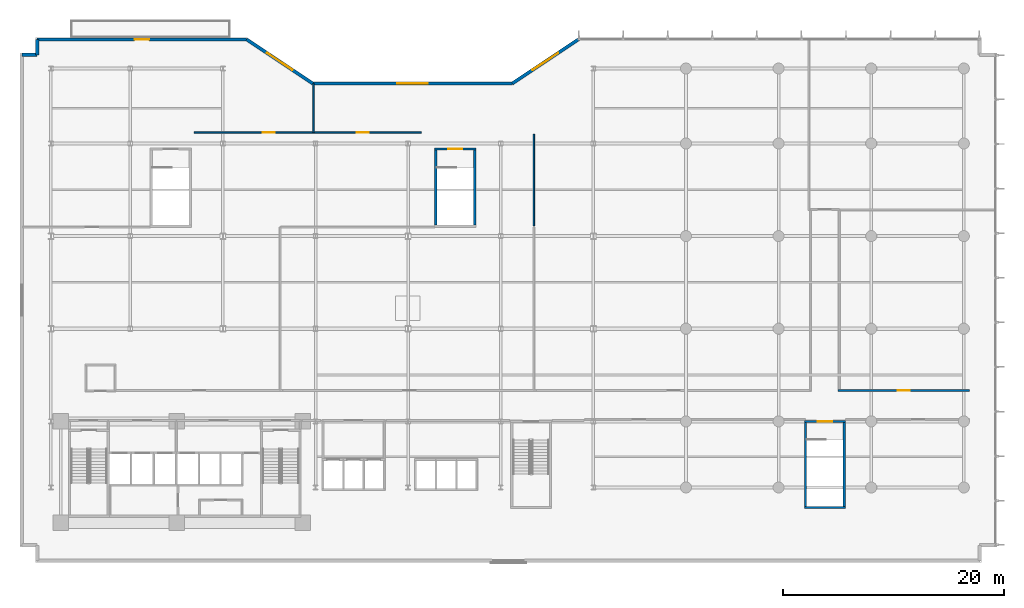
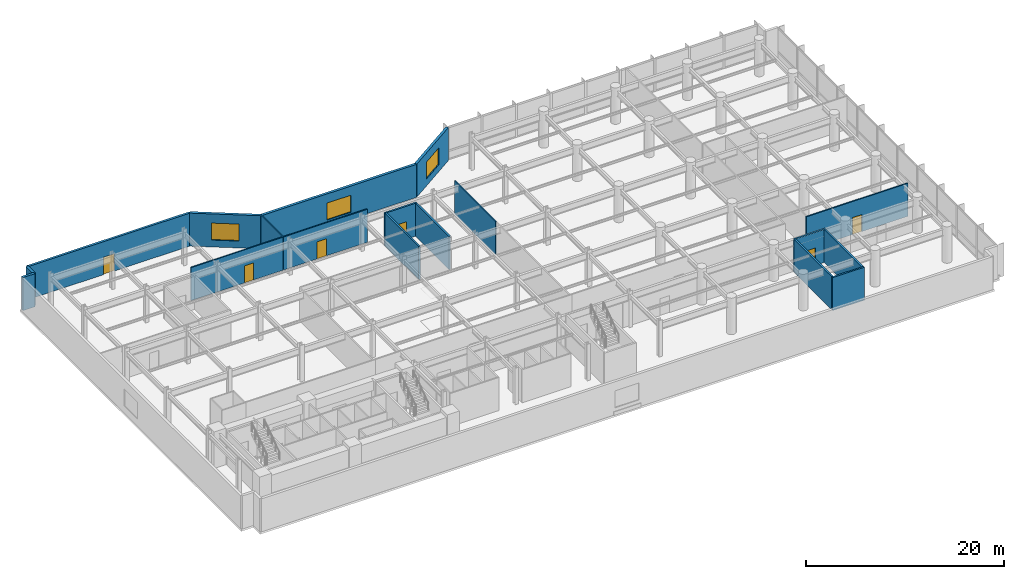
# One storey, part 17 of 23: 18 walls, 6 doors, 3 windows, 9 openings.
"""IFC4 building model written with IfcOpenShell, lengths in metres."""

from ifc_helpers import new_model, si_unit, direction, frame, frame_2d, origin, place, context, subcontext, project, spatial, rectangle, extrude, material, layer, layer_set, type_object, element, fill, save


model = new_model("IFC4")

# Units and contexts
model_context = context("Model", 3, precision=1e-05, world=origin(), true_north=direction((0.0, 1.0)))
body_context = subcontext(model_context, "Body", "Model", "MODEL_VIEW")
ifc_project = project(units=[si_unit("LENGTHUNIT", "METRE"), si_unit("AREAUNIT", "SQUARE_METRE"), si_unit("VOLUMEUNIT", "CUBIC_METRE"), si_unit("PLANEANGLEUNIT", "RADIAN"), si_unit("MASSUNIT", "GRAM", prefix="KILO")], contexts=[model_context])

# Site, building, storey
site_placement = place(None, origin())
site = spatial("IfcSite", under=ifc_project, at=site_placement, CompositionType="ELEMENT")
building_placement = place(site_placement, origin())
building = spatial("IfcBuilding", under=site, at=building_placement, Name="Varnakote Quay Hospital", CompositionType="ELEMENT")
storey_placement = place(building_placement, frame((0.0, 0.0, 18.0)))
storey = spatial("IfcBuildingStorey", under=building, at=storey_placement, Name="L04", CompositionType="ELEMENT", Elevation=18.0)

# Wall, opening, door
ifc_material_1 = material(Name="Precast concrete N50 (f'c 50 MPa)", Category="concrete")
ifc_layer_1 = layer(ifc_material_1, 0.260009765625)
ifc_layer_set_1 = layer_set([ifc_layer_1], Name="Precast concrete N50 (f'c 50 MPa)")
wall_type_1 = type_object("IfcWallType", Name="WL-EXT-BRICK-260", PredefinedType="STANDARD", material=ifc_layer_set_1)
wall_1_placement = place(storey_placement, frame((18.95166015625, 46.639892578125, 0.0), z_axis=(0.0, 0.0, 1.0), x_axis=(-1.0, 0.0, 0.0)))
wall_1 = element("IfcWall", 1, at=wall_1_placement, inside=storey, type_object=wall_type_1, Name="L04 Healing Terrace Portal Brick Wall", PredefinedType="STANDARD", context=body_context, shape_type="SweptSolid", body=[
    extrude(rectangle(XDim=18.99169921875, YDim=0.260009765625, at=frame_2d((9.495849609375, 0.0))), origin(), (0.0, 0.0, 1.0), 4.080078125),
])
opening_1_placement = place(wall_1_placement, frame((8.845703125, 0.0, 0.0)))
opening_1 = element("IfcOpeningElement", 2, at=opening_1_placement, cuts=wall_1, Name="Opening DT-L04", PredefinedType="OPENING", context=body_context, shape_type="SweptSolid", body=[
    extrude(rectangle(XDim=1.300048828125, YDim=2.14990234375, at=frame_2d((0.64990234375, 1.074951171875))), frame((0.0, 0.139892578125, 0.0), z_axis=(0.0, -1.0, 0.0), x_axis=(1.0, 0.0, 0.0)), (0.0, 0.0, 1.0), 0.280029296875),
])
ifc_material_2 = material(Name="Anodised aluminium glazed terrace door", Category="aluminium")
door_type_1 = type_object("IfcDoorType", Name="DR-EXT-TERR-1300x2150", OperationType="NOTDEFINED", PredefinedType="DOOR", material=ifc_material_2)
door_1_placement = place(opening_1_placement, origin())
door_1 = element("IfcDoor", 3, at=door_1_placement, inside=storey, type_object=door_type_1, Name="L04 Waterfront Healing Terrace Door", OperationType="SINGLE_SWING_LEFT", OverallHeight=2.14990234375, OverallWidth=1.300048828125, PredefinedType="DOOR", context=body_context, shape_type="SweptSolid", body=[
    extrude(rectangle(XDim=1.300048828125, YDim=2.14990234375, at=frame_2d((0.64990234375, 1.074951171875))), frame((0.0, 0.02490234375, 0.0), z_axis=(0.0, -1.0, 0.0), x_axis=(1.0, 0.0, 0.0)), (0.0, 0.0, 1.0), 0.050048828125),
])
fill(opening_1, door_1)

# Wall, opening, window
ifc_material_3 = material(Name="Precast concrete N50 (f'c 50 MPa)", Category="concrete")
ifc_layer_2 = layer(ifc_material_3, 0.300048828125)
ifc_layer_set_2 = layer_set([ifc_layer_2], Name="Precast concrete N50 (f'c 50 MPa)")
wall_type_2 = type_object("IfcWallType", Name="WL-EXT-BRICK-300", PredefinedType="STANDARD", material=ifc_layer_set_2)
wall_2_placement = place(storey_placement, frame((49.04833984375, 46.639892578125, 0.0), z_axis=(0.0, 0.0, 1.0), x_axis=(-0.832050294338, -0.554700196225, 0.0)))
wall_2 = element("IfcWall", 4, at=wall_2_placement, inside=storey, type_object=wall_type_2, Name="L04 Brick-Faced Precast Exterior Wall", PredefinedType="STANDARD", context=body_context, shape_type="SweptSolid", body=[
    extrude(rectangle(XDim=7.211181640625, YDim=0.300048828125, at=frame_2d((3.60546875, 0.0))), origin(), (0.0, 0.0, 1.0), 4.080078125),
])
opening_2_placement = place(wall_2_placement, frame((2.20556640625, 0.0, 0.85009765625)))
opening_2 = element("IfcOpeningElement", 5, at=opening_2_placement, cuts=wall_2, Name="Opening WN-0026", PredefinedType="OPENING", context=body_context, shape_type="SweptSolid", body=[
    extrude(rectangle(XDim=2.800048828125, YDim=2.10009765625, at=frame_2d((1.39990234375, 1.050048828125))), frame((0.0, 0.159912109375, 0.0), z_axis=(0.0, -1.0, 0.0), x_axis=(1.0, 0.0, 0.0)), (0.0, 0.0, 1.0), 0.320068359375),
])
ifc_material_4 = material(Name="Double-glazed acoustic laminated glass", Category="glass")
window_type = type_object("IfcWindowType", Name="WIN-POD-2800x2100", PartitioningType="SINGLE_PANEL", PredefinedType="WINDOW", material=ifc_material_4)
window_1_placement = place(opening_2_placement, origin())
window_1 = element("IfcWindow", 6, at=window_1_placement, inside=storey, type_object=window_type, Name="L04 Solar-Control Clinical Window", OverallHeight=2.10009765625, OverallWidth=2.800048828125, PartitioningType="SINGLE_PANEL", PredefinedType="WINDOW", context=body_context, shape_type="SweptSolid", body=[
    extrude(rectangle(XDim=2.800048828125, YDim=2.10009765625, at=frame_2d((1.39990234375, 1.050048828125))), frame((0.0, 0.030029296875, 0.0), z_axis=(0.0, -1.0, 0.0), x_axis=(1.0, 0.0, 0.0)), (0.0, 0.0, 1.0), 0.06005859375),
])
fill(opening_2, window_1)

wall_3_placement = place(storey_placement, frame((43.04833984375, 42.639892578125, 0.0), z_axis=(0.0, 0.0, 1.0), x_axis=(-1.0, 0.0, 0.0)))
wall_3 = element("IfcWall", 7, at=wall_3_placement, inside=storey, type_object=wall_type_2, Name="L04 Brick-Faced Precast Exterior Wall", PredefinedType="STANDARD", context=body_context, shape_type="SweptSolid", body=[
    extrude(rectangle(XDim=18.0966796875, YDim=0.300048828125, at=frame_2d((9.04833984375, 0.0))), origin(), (0.0, 0.0, 1.0), 4.080078125),
])
opening_3_placement = place(wall_3_placement, frame((7.6484375, 0.0, 0.85009765625)))
opening_3 = element("IfcOpeningElement", 8, at=opening_3_placement, cuts=wall_3, Name="Opening WN-0027", PredefinedType="OPENING", context=body_context, shape_type="SweptSolid", body=[
    extrude(rectangle(XDim=2.800048828125, YDim=2.10009765625, at=frame_2d((1.39990234375, 1.050048828125))), frame((0.0, 0.159912109375, 0.0), z_axis=(0.0, -1.0, 0.0), x_axis=(1.0, 0.0, 0.0)), (0.0, 0.0, 1.0), 0.320068359375),
])
window_2_placement = place(opening_3_placement, origin())
window_2 = element("IfcWindow", 9, at=window_2_placement, inside=storey, type_object=window_type, Name="L04 Solar-Control Clinical Window", OverallHeight=2.10009765625, OverallWidth=2.800048828125, PartitioningType="SINGLE_PANEL", PredefinedType="WINDOW", context=body_context, shape_type="SweptSolid", body=[
    extrude(rectangle(XDim=2.800048828125, YDim=2.10009765625, at=frame_2d((1.39990234375, 1.050048828125))), frame((0.0, 0.030029296875, 0.0), z_axis=(0.0, -1.0, 0.0), x_axis=(1.0, 0.0, 0.0)), (0.0, 0.0, 1.0), 0.06005859375),
])
fill(opening_3, window_2)

wall_4_placement = place(storey_placement, frame((24.95166015625, 42.639892578125, 0.0), z_axis=(0.0, 0.0, 1.0), x_axis=(-0.832050294338, 0.554700196225, 0.0)))
wall_4 = element("IfcWall", 10, at=wall_4_placement, inside=storey, type_object=wall_type_2, Name="L04 Brick-Faced Precast Exterior Wall", PredefinedType="STANDARD", context=body_context, shape_type="SweptSolid", body=[
    extrude(rectangle(XDim=7.211181640625, YDim=0.300048828125, at=frame_2d((3.60546875, 0.0))), origin(), (0.0, 0.0, 1.0), 4.080078125),
])
opening_4_placement = place(wall_4_placement, frame((2.20556640625, 0.0, 0.85009765625)))
opening_4 = element("IfcOpeningElement", 11, at=opening_4_placement, cuts=wall_4, Name="Opening WN-0028", PredefinedType="OPENING", context=body_context, shape_type="SweptSolid", body=[
    extrude(rectangle(XDim=2.800048828125, YDim=2.10009765625, at=frame_2d((1.39990234375, 1.050048828125))), frame((0.0, 0.159912109375, 0.0), z_axis=(0.0, -1.0, 0.0), x_axis=(1.0, 0.0, 0.0)), (0.0, 0.0, 1.0), 0.320068359375),
])
window_3_placement = place(opening_4_placement, origin())
window_3 = element("IfcWindow", 12, at=window_3_placement, inside=storey, type_object=window_type, Name="L04 Solar-Control Clinical Window", OverallHeight=2.10009765625, OverallWidth=2.800048828125, PartitioningType="SINGLE_PANEL", PredefinedType="WINDOW", context=body_context, shape_type="SweptSolid", body=[
    extrude(rectangle(XDim=2.800048828125, YDim=2.10009765625, at=frame_2d((1.39990234375, 1.050048828125))), frame((0.0, 0.030029296875, 0.0), z_axis=(0.0, -1.0, 0.0), x_axis=(1.0, 0.0, 0.0)), (0.0, 0.0, 1.0), 0.06005859375),
])
fill(opening_4, window_3)

# Walls
for number, where, z_axis, x_axis, name in (
    (13, (-0.0400390625, 46.639892578125, 0.0), (0.0, 0.0, 1.0), (0.0, -1.0, 0.0), "L04 Brick-Faced Precast Exterior Wall"),
    (14, (-0.0400390625, 45.239990234375, 0.0), (0.0, 0.0, 1.0), (-1.0, 0.0, 0.0), "L04 Brick-Faced Precast Exterior Wall"),
):
    element("IfcWall", number, at=place(storey_placement, frame(where, z_axis=z_axis, x_axis=x_axis)), inside=storey, type_object=wall_type_2, Name=name, PredefinedType="STANDARD", context=body_context, shape_type="SweptSolid", body=[
        extrude(rectangle(XDim=1.39990234375, YDim=0.300048828125, at=frame_2d((0.699951171875, 0.0))), origin(), (0.0, 0.0, 1.0), 4.080078125),
    ])
ifc_material_5 = material(Name="Concrete N50 (f'c 50 MPa)", Category="concrete")
ifc_layer_3 = layer(ifc_material_5, 0.199951171875)
ifc_layer_set_3 = layer_set([ifc_layer_3], Name="Concrete N50 (f'c 50 MPa)")
wall_type_3 = type_object("IfcWallType", Name="WL-SHAFT-N50-200", PredefinedType="SHEAR", material=ifc_layer_set_3)
wall_5_placement = place(storey_placement, frame((69.550048828125, 4.199951171875, 0.0), z_axis=(0.0, 0.0, 1.0), x_axis=(1.0, 0.0, 0.0)))
element("IfcWall", 15, at=wall_5_placement, inside=storey, type_object=wall_type_3, Name="L04 Stair ST6 South Shaft Wall", PredefinedType="SHEAR", context=body_context, shape_type="SweptSolid", body=[
    extrude(rectangle(XDim=3.699951171875, YDim=0.199951171875, at=frame_2d((1.85009765625, 0.0))), origin(), (0.0, 0.0, 1.0), 4.080078125),
])
for number, where, z_axis, x_axis, name in (
    (16, (69.64990234375, 4.300048828125, 0.0), (0.0, 0.0, 1.0), (0.0, 1.0, 0.0), "L04 Stair ST6 West Shaft Wall"),
    (17, (73.14990234375, 4.300048828125, 0.0), (0.0, 0.0, 1.0), (0.0, 1.0, 0.0), "L04 Stair ST6 East Shaft Wall"),
):
    element("IfcWall", number, at=place(storey_placement, frame(where, z_axis=z_axis, x_axis=x_axis)), inside=storey, type_object=wall_type_3, Name=name, PredefinedType="SHEAR", context=body_context, shape_type="SweptSolid", body=[
        extrude(rectangle(XDim=7.599853515625, YDim=0.199951171875, at=frame_2d((3.7998046875, 0.0))), origin(), (0.0, 0.0, 1.0), 4.080078125),
    ])

# Wall, opening, door
wall_6_placement = place(storey_placement, frame((69.550048828125, 12.0, 0.0), z_axis=(0.0, 0.0, 1.0), x_axis=(1.0, 0.0, 0.0)))
wall_6 = element("IfcWall", 18, at=wall_6_placement, inside=storey, type_object=wall_type_3, Name="L04 Stair ST6 Exit Wall", PredefinedType="SHEAR", context=body_context, shape_type="SweptSolid", body=[
    extrude(rectangle(XDim=3.699951171875, YDim=0.199951171875, at=frame_2d((1.85009765625, 0.0))), origin(), (0.0, 0.0, 1.0), 4.080078125),
])
opening_5_placement = place(wall_6_placement, frame((1.199951171875, 0.0, 0.0)))
opening_5 = element("IfcOpeningElement", 19, at=opening_5_placement, cuts=wall_6, Name="Opening D-ST6-L04", PredefinedType="OPENING", context=body_context, shape_type="SweptSolid", body=[
    extrude(rectangle(XDim=1.300048828125, YDim=2.14990234375, at=frame_2d((0.64990234375, 1.074951171875))), frame((0.0, 0.10986328125, 0.0), z_axis=(0.0, -1.0, 0.0), x_axis=(1.0, 0.0, 0.0)), (0.0, 0.0, 1.0), 0.219970703125),
])
ifc_material_6 = material(Name="Fire-rated ceramic-glazed timber exit door", Category="wood")
door_type_2 = type_object("IfcDoorType", Name="DR-STAIR-FD60S-1300x2150", OperationType="NOTDEFINED", PredefinedType="DOOR", material=ifc_material_6)
door_2_placement = place(opening_5_placement, origin())
door_2 = element("IfcDoor", 20, at=door_2_placement, inside=storey, type_object=door_type_2, Name="L04 Stair ST6 Fire Exit Door", OperationType="SINGLE_SWING_RIGHT", OverallHeight=2.14990234375, OverallWidth=1.300048828125, PredefinedType="DOOR", context=body_context, shape_type="SweptSolid", body=[
    extrude(rectangle(XDim=1.300048828125, YDim=2.14990234375, at=frame_2d((0.64990234375, 1.074951171875))), frame((0.0, 0.02490234375, 0.0), z_axis=(0.0, -1.0, 0.0), x_axis=(1.0, 0.0, 0.0)), (0.0, 0.0, 1.0), 0.050048828125),
])
fill(opening_5, door_2)

# Walls
for number, where, z_axis, x_axis, name in (
    (21, (36.10009765625, 29.800048828125, 0.0), (0.0, 0.0, 1.0), (0.0, 1.0, 0.0), "L04 Stair ST5 West Shaft Wall"),
    (22, (39.639892578125, 29.800048828125, 0.0), (0.0, 0.0, 1.0), (0.0, 1.0, 0.0), "L04 Stair ST5 East Shaft Wall"),
):
    element("IfcWall", number, at=place(storey_placement, frame(where, z_axis=z_axis, x_axis=x_axis)), inside=storey, type_object=wall_type_3, Name=name, PredefinedType="SHEAR", context=body_context, shape_type="SweptSolid", body=[
        extrude(rectangle(XDim=6.800048828125, YDim=0.199951171875, at=frame_2d((3.39990234375, 0.0))), origin(), (0.0, 0.0, 1.0), 4.080078125),
    ])

# Wall, opening, door
wall_7_placement = place(storey_placement, frame((36.0, 36.699951171875, 0.0), z_axis=(0.0, 0.0, 1.0), x_axis=(1.0, 0.0, 0.0)))
wall_7 = element("IfcWall", 23, at=wall_7_placement, inside=storey, type_object=wall_type_3, Name="L04 Stair ST5 Exit Wall", PredefinedType="SHEAR", context=body_context, shape_type="SweptSolid", body=[
    extrude(rectangle(XDim=3.739990234375, YDim=0.199951171875, at=frame_2d((1.8701171875, 0.0))), origin(), (0.0, 0.0, 1.0), 4.080078125),
])
opening_6_placement = place(wall_7_placement, frame((1.219970703125, 0.0, 0.0)))
opening_6 = element("IfcOpeningElement", 24, at=opening_6_placement, cuts=wall_7, Name="Opening D-ST5-L04", PredefinedType="OPENING", context=body_context, shape_type="SweptSolid", body=[
    extrude(rectangle(XDim=1.300048828125, YDim=2.14990234375, at=frame_2d((0.64990234375, 1.074951171875))), frame((0.0, 0.10986328125, 0.0), z_axis=(0.0, -1.0, 0.0), x_axis=(1.0, 0.0, 0.0)), (0.0, 0.0, 1.0), 0.219970703125),
])
door_3_placement = place(opening_6_placement, origin())
door_3 = element("IfcDoor", 25, at=door_3_placement, inside=storey, type_object=door_type_2, Name="L04 Stair ST5 Fire Exit Door", OperationType="SINGLE_SWING_RIGHT", OverallHeight=2.14990234375, OverallWidth=1.300048828125, PredefinedType="DOOR", context=body_context, shape_type="SweptSolid", body=[
    extrude(rectangle(XDim=1.300048828125, YDim=2.14990234375, at=frame_2d((0.64990234375, 1.074951171875))), frame((0.0, 0.02490234375, 0.0), z_axis=(0.0, -1.0, 0.0), x_axis=(1.0, 0.0, 0.0)), (0.0, 0.0, 1.0), 0.050048828125),
])
fill(opening_6, door_3)

# Wall
ifc_material_7 = material(Name="Smoke-proof clinical partition", Category="gypsum")
ifc_layer_4 = layer(ifc_material_7, 0.135009765625)
ifc_layer_set_4 = layer_set([ifc_layer_4], Name="Smoke-proof clinical partition")
wall_type_4 = type_object("IfcWallType", Name="WL-SMOKE-135", PredefinedType="PARTITIONING", material=ifc_layer_set_4)
wall_8_placement = place(storey_placement, frame((25.0, 42.639892578125, 0.0), z_axis=(0.0, 0.0, 1.0), x_axis=(0.0, -1.0, 0.0)))
element("IfcWall", 26, at=wall_8_placement, inside=storey, type_object=wall_type_4, Name="L04 Clinical Interior Partition", PredefinedType="PARTITIONING", context=body_context, shape_type="SweptSolid", body=[
    extrude(rectangle(XDim=4.4599609375, YDim=0.135009765625, at=frame_2d((2.22998046875, 0.0))), origin(), (0.0, 0.0, 1.0), 4.080078125),
])

# Wall, opening, door
wall_9_placement = place(storey_placement, frame((25.0, 38.179931640625, 0.0), z_axis=(0.0, 0.0, 1.0), x_axis=(1.0, 0.0, 0.0)))
wall_9 = element("IfcWall", 27, at=wall_9_placement, inside=storey, type_object=wall_type_4, Name="L04 Clinical Interior Partition", PredefinedType="PARTITIONING", context=body_context, shape_type="SweptSolid", body=[
    extrude(rectangle(XDim=9.800048828125, YDim=0.135009765625, at=frame_2d((4.89990234375, 0.0))), origin(), (0.0, 0.0, 1.0), 4.080078125),
])
opening_7_placement = place(wall_9_placement, frame((3.93505859375, 0.0, 0.0)))
opening_7 = element("IfcOpeningElement", 28, at=opening_7_placement, cuts=wall_9, Name="Opening D-L04-DLNG", PredefinedType="OPENING", context=body_context, shape_type="SweptSolid", body=[
    extrude(rectangle(XDim=1.10009765625, YDim=2.10009765625, at=frame_2d((0.550048828125, 1.050048828125))), frame((0.0, 0.077392578125, 0.0), z_axis=(0.0, -1.0, 0.0), x_axis=(1.0, 0.0, 0.0)), (0.0, 0.0, 1.0), 0.155029296875),
])
ifc_material_8 = material(Name="Acoustic timber clinical consult door", Category="wood")
door_type_3 = type_object("IfcDoorType", Name="DR-CLIN-FD30S-1100x2100", OperationType="NOTDEFINED", PredefinedType="DOOR", material=ifc_material_8)
door_4_placement = place(opening_7_placement, origin())
door_4 = element("IfcDoor", 29, at=door_4_placement, inside=storey, type_object=door_type_3, Name="L04 Podium Garden Family Dayroom Door", OperationType="SINGLE_SWING_LEFT", OverallHeight=2.10009765625, OverallWidth=1.10009765625, PredefinedType="DOOR", context=body_context, shape_type="SweptSolid", body=[
    extrude(rectangle(XDim=1.10009765625, YDim=2.10009765625, at=frame_2d((0.550048828125, 1.050048828125))), frame((0.0, 0.02490234375, 0.0), z_axis=(0.0, -1.0, 0.0), x_axis=(1.0, 0.0, 0.0)), (0.0, 0.0, 1.0), 0.050048828125),
])
fill(opening_7, door_4)

wall_10_placement = place(storey_placement, frame((14.199951171875, 38.179931640625, 0.0), z_axis=(0.0, 0.0, 1.0), x_axis=(1.0, 0.0, 0.0)))
wall_10 = element("IfcWall", 30, at=wall_10_placement, inside=storey, type_object=wall_type_4, Name="L04 Clinical Interior Partition", PredefinedType="PARTITIONING", context=body_context, shape_type="SweptSolid", body=[
    extrude(rectangle(XDim=10.742431640625, YDim=0.135009765625, at=frame_2d((5.37109375, 0.0))), origin(), (0.0, 0.0, 1.0), 4.080078125),
])
opening_8_placement = place(wall_10_placement, frame((6.20751953125, 0.0, 0.0)))
opening_8 = element("IfcOpeningElement", 31, at=opening_8_placement, cuts=wall_10, Name="Opening D-L04-CLAB", PredefinedType="OPENING", context=body_context, shape_type="SweptSolid", body=[
    extrude(rectangle(XDim=1.10009765625, YDim=2.10009765625, at=frame_2d((0.550048828125, 1.050048828125))), frame((0.0, 0.077392578125, 0.0), z_axis=(0.0, -1.0, 0.0), x_axis=(1.0, 0.0, 0.0)), (0.0, 0.0, 1.0), 0.155029296875),
])
door_5_placement = place(opening_8_placement, origin())
door_5 = element("IfcDoor", 32, at=door_5_placement, inside=storey, type_object=door_type_3, Name="L04 Podium Terrace Patient Lounge Door", OperationType="SINGLE_SWING_RIGHT", OverallHeight=2.10009765625, OverallWidth=1.10009765625, PredefinedType="DOOR", context=body_context, shape_type="SweptSolid", body=[
    extrude(rectangle(XDim=1.10009765625, YDim=2.10009765625, at=frame_2d((0.550048828125, 1.050048828125))), frame((0.0, 0.02490234375, 0.0), z_axis=(0.0, -1.0, 0.0), x_axis=(1.0, 0.0, 0.0)), (0.0, 0.0, 1.0), 0.050048828125),
])
fill(opening_8, door_5)

# Wall
wall_11_placement = place(storey_placement, frame((45.0, 29.739990234375, 0.0), z_axis=(0.0, 0.0, 1.0), x_axis=(0.0, 1.0, 0.0)))
element("IfcWall", 33, at=wall_11_placement, inside=storey, type_object=wall_type_4, Name="L04 Clinical Interior Partition", PredefinedType="PARTITIONING", context=body_context, shape_type="SweptSolid", body=[
    extrude(rectangle(XDim=8.320068359375, YDim=0.135009765625, at=frame_2d((4.16015625, 0.0))), origin(), (0.0, 0.0, 1.0), 4.080078125),
])

# Wall, opening, door
ifc_material_9 = material(Name="Fire-rated clinical gypsum partition", Category="gypsum")
ifc_layer_5 = layer(ifc_material_9, 0.14990234375)
ifc_layer_set_5 = layer_set([ifc_layer_5], Name="Fire-rated clinical gypsum partition")
wall_type_5 = type_object("IfcWallType", Name="WL-WARD-150", PredefinedType="PARTITIONING", material=ifc_layer_set_5)
wall_12_placement = place(storey_placement, frame((84.5, 14.800048828125, 0.0), z_axis=(0.0, 0.0, 1.0), x_axis=(-1.0, 0.0, 0.0)))
wall_12 = element("IfcWall", 34, at=wall_12_placement, inside=storey, type_object=wall_type_5, Name="L04 Clinical Interior Partition", PredefinedType="PARTITIONING", context=body_context, shape_type="SweptSolid", body=[
    extrude(rectangle(XDim=11.89794921875, YDim=0.14990234375, at=frame_2d((5.948974609375, 0.0))), origin(), (0.0, 0.0, 1.0), 4.080078125),
])
opening_9_placement = place(wall_12_placement, frame((5.39892578125, 0.0, 0.0)))
opening_9 = element("IfcOpeningElement", 35, at=opening_9_placement, cuts=wall_12, Name="Opening D-L04-EREH", PredefinedType="OPENING", context=body_context, shape_type="SweptSolid", body=[
    extrude(rectangle(XDim=1.10009765625, YDim=2.10009765625, at=frame_2d((0.550048828125, 1.050048828125))), frame((0.0, 0.0849609375, 0.0), z_axis=(0.0, -1.0, 0.0), x_axis=(1.0, 0.0, 0.0)), (0.0, 0.0, 1.0), 0.169921875),
])
door_6_placement = place(opening_9_placement, origin())
door_6 = element("IfcDoor", 36, at=door_6_placement, inside=storey, type_object=door_type_3, Name="L04 Acute Neurological & Physical Rehabilitation Treatment Suite Door", OperationType="SINGLE_SWING_RIGHT", OverallHeight=2.10009765625, OverallWidth=1.10009765625, PredefinedType="DOOR", context=body_context, shape_type="SweptSolid", body=[
    extrude(rectangle(XDim=1.10009765625, YDim=2.10009765625, at=frame_2d((0.550048828125, 1.050048828125))), frame((0.0, 0.02490234375, 0.0), z_axis=(0.0, -1.0, 0.0), x_axis=(1.0, 0.0, 0.0)), (0.0, 0.0, 1.0), 0.050048828125),
])
fill(opening_9, door_6)

save(model, "model.ifc")
